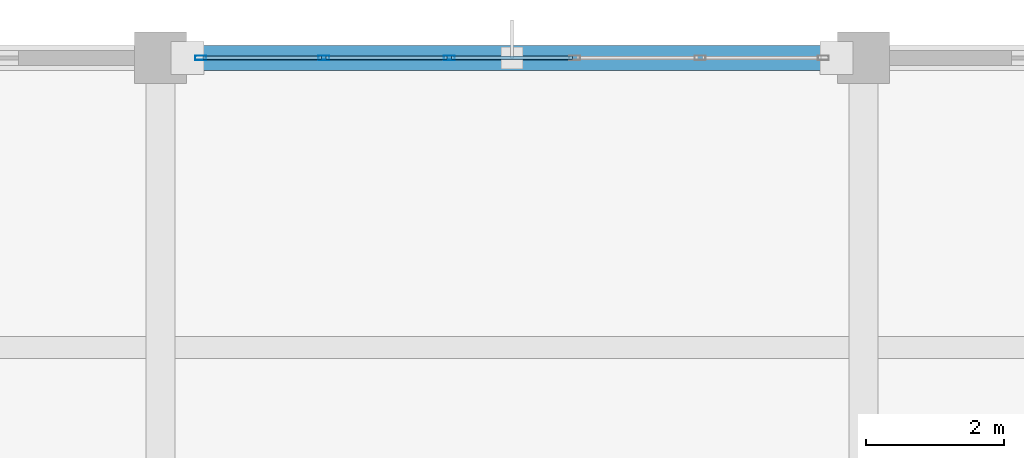
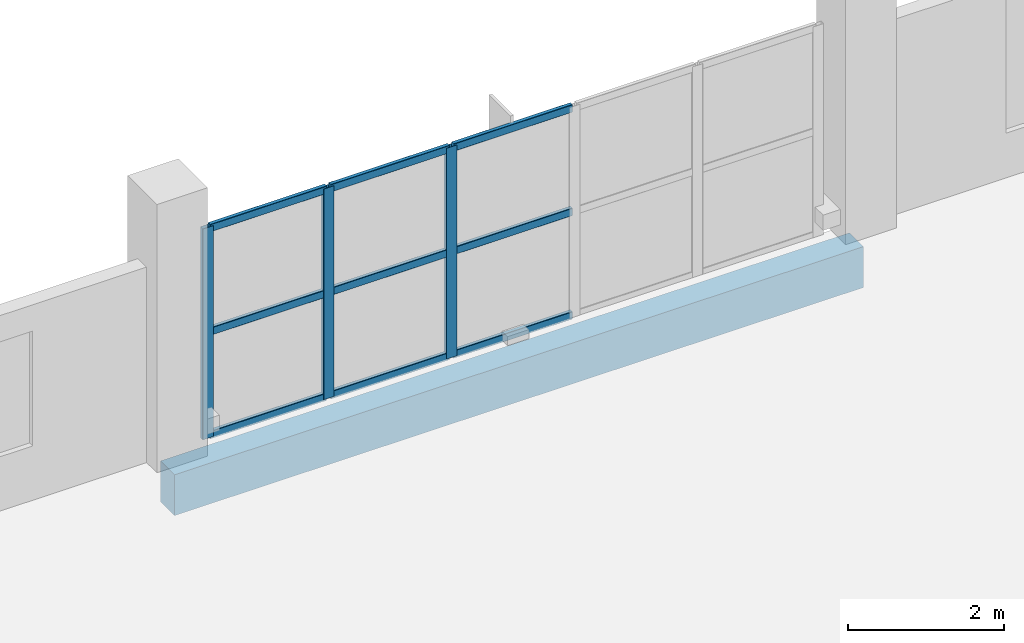
# One storey, part 95 of 157: 12 members, 1 beam, 1 element without a shape of its own.
"""IFC4 building model written with IfcOpenShell, lengths in metres."""

from ifc_helpers import new_model, si_unit, direction, frame, origin, origin_2d, place, context, subcontext, project, spatial, rectangle, hollow_rectangle, extrude, material, material_profile, profile_set, type_object, element, aggregate, save


model = new_model("IFC4")

# Units and contexts
model_context = context("Model", 3, precision=1e-05, world=origin(), true_north=direction((0.0, 1.0)))
body_context = subcontext(model_context, "Body", "Model", "MODEL_VIEW")
ifc_project = project(units=[si_unit("LENGTHUNIT", "METRE"), si_unit("AREAUNIT", "SQUARE_METRE"), si_unit("VOLUMEUNIT", "CUBIC_METRE"), si_unit("PLANEANGLEUNIT", "RADIAN"), si_unit("MASSUNIT", "GRAM", prefix="KILO")], contexts=[model_context])

# Site, building, storey
site_placement = place(None, origin())
site = spatial("IfcSite", under=ifc_project, at=site_placement, CompositionType="ELEMENT")
building_placement = place(site_placement, origin())
building = spatial("IfcBuilding", under=site, at=building_placement, Name="Brelvane Convention Centre", CompositionType="ELEMENT")
storey_placement = place(building_placement, frame((0.0, 0.0, 10.800048828125)))
storey = spatial("IfcBuildingStorey", under=building, at=storey_placement, Name="L02", CompositionType="ELEMENT", Elevation=10.800048828125)

# Curtain wall, members
ifc_material_1 = material(Name="Anodised Aluminium Alloy 6063-T6", Category="aluminium")
curtain_wall_type = type_object("IfcCurtainWallType", Name="Curtain Wall CW-BOUL", PredefinedType="USERDEFINED", material=ifc_material_1)
curtain_wall_placement = place(storey_placement, origin())
curtain_wall = element("IfcCurtainWall", 1, at=curtain_wall_placement, inside=storey, type_object=curtain_wall_type, Name="Curtain Wall CW-BOUL L02-V4N-08", ObjectType="UNITISED", PredefinedType="USERDEFINED")
ifc_material_2 = material(Name="Anodised Aluminium Alloy 6063-T6", Category="aluminium")
ifc_material_profile_1 = material_profile(ifc_material_2, hollow_rectangle(XDim=0.06494140625, YDim=0.159912109375, WallThickness=0.00390625, InnerFilletRadius=0.00390625, OuterFilletRadius=0.008056640625, at=origin_2d()), Name="ALU-M 160x65x4.0")
ifc_profile_set_1 = profile_set([ifc_material_profile_1], Name="Anodised Aluminium Alloy 6063-T6")
member_type_1 = type_object("IfcMemberType", Name="Curtain Mullion CW-M3", PredefinedType="MULLION", material=ifc_profile_set_1)
member_1_placement = place(storey_placement, frame((71.982421875, 144.0, 0.0), z_axis=(0.0, 0.0, 1.0), x_axis=(0.0, 1.0, 0.0)))
member_1 = element("IfcMember", 2, at=member_1_placement, type_object=member_type_1, Name="CW-BOUL mullion 1", PredefinedType="MULLION", context=body_context, shape_type="SweptSolid", body=[
    extrude(hollow_rectangle(XDim=0.06494140625, YDim=0.159912109375, WallThickness=0.00390625, InnerFilletRadius=0.00390625, OuterFilletRadius=0.008056640625, at=origin_2d()), origin(), (0.0, 0.0, 1.0), 3.300048828125),
])
member_2_placement = place(storey_placement, frame((73.77001953125, 144.0, 0.0), z_axis=(0.0, 0.0, 1.0), x_axis=(0.0, 1.0, 0.0)))
member_2 = element("IfcMember", 3, at=member_2_placement, type_object=member_type_1, Name="CW-BOUL mullion 2", PredefinedType="MULLION", context=body_context, shape_type="SweptSolid", body=[
    extrude(hollow_rectangle(XDim=0.06494140625, YDim=0.159912109375, WallThickness=0.00390625, InnerFilletRadius=0.00390625, OuterFilletRadius=0.008056640625, at=origin_2d()), origin(), (0.0, 0.0, 1.0), 3.300048828125),
])
member_3_placement = place(storey_placement, frame((75.590087890625, 144.0, 0.0), z_axis=(0.0, 0.0, 1.0), x_axis=(0.0, 1.0, 0.0)))
member_3 = element("IfcMember", 4, at=member_3_placement, type_object=member_type_1, Name="CW-BOUL mullion 3", PredefinedType="MULLION", context=body_context, shape_type="SweptSolid", body=[
    extrude(hollow_rectangle(XDim=0.06494140625, YDim=0.159912109375, WallThickness=0.00390625, InnerFilletRadius=0.00390625, OuterFilletRadius=0.008056640625, at=origin_2d()), origin(), (0.0, 0.0, 1.0), 3.300048828125),
])
ifc_material_3 = material(Name="Anodised Aluminium Alloy 6063-T6", Category="aluminium")
ifc_material_profile_2 = material_profile(ifc_material_3, hollow_rectangle(XDim=0.06005859375, YDim=0.1201171875, WallThickness=0.00390625, InnerFilletRadius=0.00390625, OuterFilletRadius=0.008056640625, at=origin_2d()), Name="ALU-T 120x60x4.0")
ifc_profile_set_2 = profile_set([ifc_material_profile_2], Name="Anodised Aluminium Alloy 6063-T6")
member_type_2 = type_object("IfcMemberType", Name="Curtain Transom CW-T3", PredefinedType="USERDEFINED", material=ifc_profile_set_2)
member_4_placement = place(storey_placement, frame((72.014892578125, 144.0, 0.030029296875), z_axis=(1.0, 0.0, 0.0), x_axis=(0.0, 1.0, 0.0)))
member_4 = element("IfcMember", 5, at=member_4_placement, type_object=member_type_2, Name="CW-BOUL transom 1.1", ObjectType="TRANSOM", PredefinedType="USERDEFINED", context=body_context, shape_type="SweptSolid", body=[
    extrude(hollow_rectangle(XDim=0.06005859375, YDim=0.1201171875, WallThickness=0.00390625, InnerFilletRadius=0.00390625, OuterFilletRadius=0.008056640625, at=origin_2d()), origin(), (0.0, 0.0, 1.0), 1.72265625),
])
member_5_placement = place(storey_placement, frame((72.014892578125, 144.0, 1.64990234375), z_axis=(1.0, 0.0, 0.0), x_axis=(0.0, 1.0, 0.0)))
member_5 = element("IfcMember", 6, at=member_5_placement, type_object=member_type_2, Name="CW-BOUL transom 1.2", ObjectType="TRANSOM", PredefinedType="USERDEFINED", context=body_context, shape_type="SweptSolid", body=[
    extrude(hollow_rectangle(XDim=0.06005859375, YDim=0.1201171875, WallThickness=0.00390625, InnerFilletRadius=0.00390625, OuterFilletRadius=0.008056640625, at=origin_2d()), origin(), (0.0, 0.0, 1.0), 1.72265625),
])
member_6_placement = place(storey_placement, frame((72.014892578125, 144.0, 3.27001953125), z_axis=(1.0, 0.0, 0.0), x_axis=(0.0, 1.0, 0.0)))
member_6 = element("IfcMember", 7, at=member_6_placement, type_object=member_type_2, Name="CW-BOUL transom 1.3", ObjectType="TRANSOM", PredefinedType="USERDEFINED", context=body_context, shape_type="SweptSolid", body=[
    extrude(hollow_rectangle(XDim=0.06005859375, YDim=0.1201171875, WallThickness=0.00390625, InnerFilletRadius=0.00390625, OuterFilletRadius=0.008056640625, at=origin_2d()), origin(), (0.0, 0.0, 1.0), 1.72265625),
])
member_7_placement = place(storey_placement, frame((73.802490234375, 144.0, 0.030029296875), z_axis=(1.0, 0.0, 0.0), x_axis=(0.0, 1.0, 0.0)))
member_7 = element("IfcMember", 8, at=member_7_placement, type_object=member_type_2, Name="CW-BOUL transom 2.1", ObjectType="TRANSOM", PredefinedType="USERDEFINED", context=body_context, shape_type="SweptSolid", body=[
    extrude(hollow_rectangle(XDim=0.06005859375, YDim=0.1201171875, WallThickness=0.00390625, InnerFilletRadius=0.00390625, OuterFilletRadius=0.008056640625, at=origin_2d()), origin(), (0.0, 0.0, 1.0), 1.755126953125),
])
member_8_placement = place(storey_placement, frame((73.802490234375, 144.0, 1.64990234375), z_axis=(1.0, 0.0, 0.0), x_axis=(0.0, 1.0, 0.0)))
member_8 = element("IfcMember", 9, at=member_8_placement, type_object=member_type_2, Name="CW-BOUL transom 2.2", ObjectType="TRANSOM", PredefinedType="USERDEFINED", context=body_context, shape_type="SweptSolid", body=[
    extrude(hollow_rectangle(XDim=0.06005859375, YDim=0.1201171875, WallThickness=0.00390625, InnerFilletRadius=0.00390625, OuterFilletRadius=0.008056640625, at=origin_2d()), origin(), (0.0, 0.0, 1.0), 1.755126953125),
])
member_9_placement = place(storey_placement, frame((73.802490234375, 144.0, 3.27001953125), z_axis=(1.0, 0.0, 0.0), x_axis=(0.0, 1.0, 0.0)))
member_9 = element("IfcMember", 10, at=member_9_placement, type_object=member_type_2, Name="CW-BOUL transom 2.3", ObjectType="TRANSOM", PredefinedType="USERDEFINED", context=body_context, shape_type="SweptSolid", body=[
    extrude(hollow_rectangle(XDim=0.06005859375, YDim=0.1201171875, WallThickness=0.00390625, InnerFilletRadius=0.00390625, OuterFilletRadius=0.008056640625, at=origin_2d()), origin(), (0.0, 0.0, 1.0), 1.755126953125),
])
member_10_placement = place(storey_placement, frame((75.62255859375, 144.0, 0.030029296875), z_axis=(1.0, 0.0, 0.0), x_axis=(0.0, 1.0, 0.0)))
member_10 = element("IfcMember", 11, at=member_10_placement, type_object=member_type_2, Name="CW-BOUL transom 3.1", ObjectType="TRANSOM", PredefinedType="USERDEFINED", context=body_context, shape_type="SweptSolid", body=[
    extrude(hollow_rectangle(XDim=0.06005859375, YDim=0.1201171875, WallThickness=0.00390625, InnerFilletRadius=0.00390625, OuterFilletRadius=0.008056640625, at=origin_2d()), origin(), (0.0, 0.0, 1.0), 1.7548828125),
])
member_11_placement = place(storey_placement, frame((75.62255859375, 144.0, 1.64990234375), z_axis=(1.0, 0.0, 0.0), x_axis=(0.0, 1.0, 0.0)))
member_11 = element("IfcMember", 12, at=member_11_placement, type_object=member_type_2, Name="CW-BOUL transom 3.2", ObjectType="TRANSOM", PredefinedType="USERDEFINED", context=body_context, shape_type="SweptSolid", body=[
    extrude(hollow_rectangle(XDim=0.06005859375, YDim=0.1201171875, WallThickness=0.00390625, InnerFilletRadius=0.00390625, OuterFilletRadius=0.008056640625, at=origin_2d()), origin(), (0.0, 0.0, 1.0), 1.7548828125),
])
member_12_placement = place(storey_placement, frame((75.62255859375, 144.0, 3.27001953125), z_axis=(1.0, 0.0, 0.0), x_axis=(0.0, 1.0, 0.0)))
member_12 = element("IfcMember", 13, at=member_12_placement, type_object=member_type_2, Name="CW-BOUL transom 3.3", ObjectType="TRANSOM", PredefinedType="USERDEFINED", context=body_context, shape_type="SweptSolid", body=[
    extrude(hollow_rectangle(XDim=0.06005859375, YDim=0.1201171875, WallThickness=0.00390625, InnerFilletRadius=0.00390625, OuterFilletRadius=0.008056640625, at=origin_2d()), origin(), (0.0, 0.0, 1.0), 1.7548828125),
])
aggregate(curtain_wall, [member_1, member_2, member_3, member_4, member_5, member_6, member_7, member_8, member_9, member_10, member_11, member_12])

# Beam
ifc_material_4 = material(Name="Concrete M40", Category="concrete")
ifc_material_profile_3 = material_profile(ifc_material_4, rectangle(XDim=0.360107421875, YDim=0.639892578125, at=origin_2d()), Name="RC 360x640")
ifc_profile_set_3 = profile_set([ifc_material_profile_3], Name="Concrete M40")
beam_type = type_object("IfcBeamType", Name="RC Spandrel SP-RC3 (RC 360x640)", PredefinedType="SPANDREL", material=ifc_profile_set_3)
beam_placement = place(storey_placement, frame((71.39990234375, 144.0, -0.60009765625), z_axis=(1.0, 0.0, 0.0), x_axis=(0.0, 1.0, 0.0)))
element("IfcBeam", 14, at=beam_placement, inside=storey, type_object=beam_type, Name="L02 Beam 8-9/Q", PredefinedType="SPANDREL", context=body_context, shape_type="SweptSolid", body=[
    extrude(rectangle(XDim=0.360107421875, YDim=0.639892578125, at=origin_2d()), origin(), (0.0, 0.0, 1.0), 10.2001953125),
])

save(model, "model.ifc")
